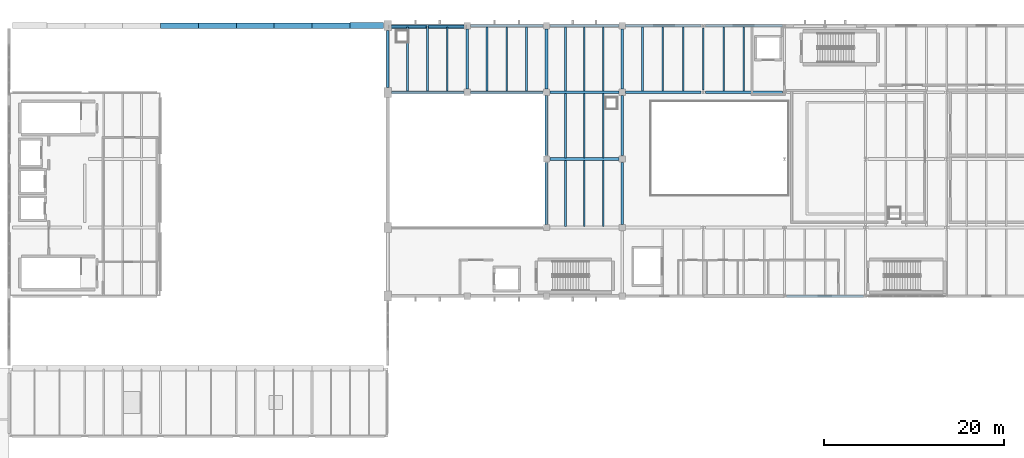
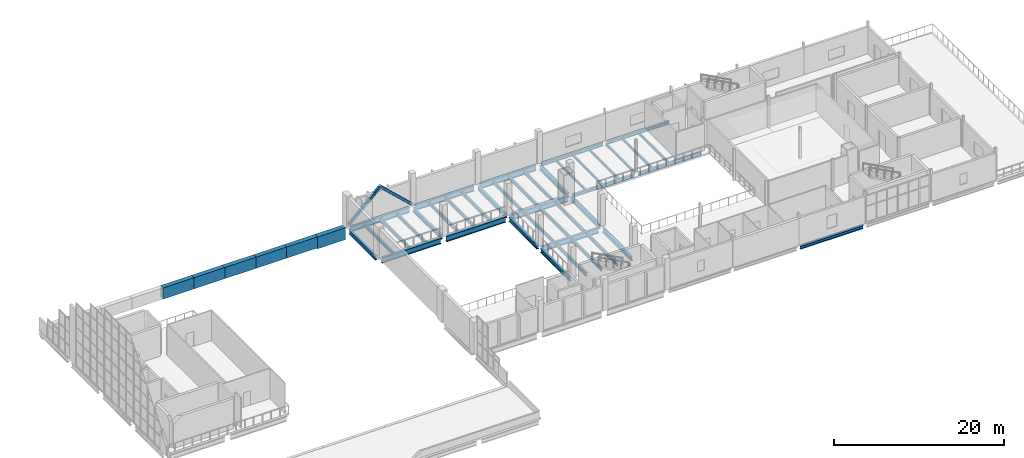
# One storey, part 18 of 37: 47 beams, 2 members.
"""IFC4 building model written with IfcOpenShell, lengths in metres."""

from ifc_helpers import new_model, si_unit, direction, frame, origin, origin_2d, place, context, subcontext, project, spatial, rectangle, hollow_rectangle, i_section, extrude, material, material_profile, profile_set, type_object, element, save


model = new_model("IFC4")

# Units and contexts
model_context = context("Model", 3, precision=1e-05, world=origin(), true_north=direction((0.0, 1.0)))
body_context = subcontext(model_context, "Body", "Model", "MODEL_VIEW")
ifc_project = project(units=[si_unit("LENGTHUNIT", "METRE"), si_unit("AREAUNIT", "SQUARE_METRE"), si_unit("VOLUMEUNIT", "CUBIC_METRE"), si_unit("PLANEANGLEUNIT", "RADIAN"), si_unit("MASSUNIT", "GRAM", prefix="KILO")], contexts=[model_context])

# Site, building, storey
site_placement = place(None, origin())
site = spatial("IfcSite", under=ifc_project, at=site_placement, CompositionType="ELEMENT")
building_placement = place(site_placement, origin())
building = spatial("IfcBuilding", under=site, at=building_placement, Name="Shengluoqiao Park Theatre", CompositionType="ELEMENT")
storey_placement = place(building_placement, frame((0.0, 0.0, 19.199951171875)))
storey = spatial("IfcBuildingStorey", under=building, at=storey_placement, Name="L04", CompositionType="ELEMENT", Elevation=19.199951171875)

# Beams
ifc_material_1 = material(Name="Concrete C50", Category="concrete")
ifc_material_profile_1 = material_profile(ifc_material_1, rectangle(XDim=0.60009765625, YDim=1.60009765625, at=origin_2d()), Name="RC EDGE 600x1600")
ifc_profile_set_1 = profile_set([ifc_material_profile_1], Name="Concrete C50")
beam_type_1 = type_object("IfcBeamType", Name="STR-BM-EB-6016", PredefinedType="BEAM", material=ifc_profile_set_1)
beam_1_placement = place(storey_placement, frame((61.199951171875, 114.0, -0.800048828125), z_axis=(1.0, 0.0, 0.0), x_axis=(0.0, 1.0, 0.0)))
element("IfcBeam", 1, at=beam_1_placement, inside=storey, type_object=beam_type_1, Name="Barrel-Shell Form I Edge Beam N-05", PredefinedType="BEAM", context=body_context, shape_type="SweptSolid", body=[
    extrude(rectangle(XDim=0.60009765625, YDim=1.60009765625, at=origin_2d()), origin(), (0.0, 0.0, 1.0), 4.199951171875),
])
beam_2_placement = place(storey_placement, frame((65.39990234375, 114.0, -0.800048828125), z_axis=(1.0, 0.0, 0.0), x_axis=(0.0, 1.0, 0.0)))
element("IfcBeam", 2, at=beam_2_placement, inside=storey, type_object=beam_type_1, Name="Barrel-Shell Form I Edge Beam N-06", PredefinedType="BEAM", context=body_context, shape_type="SweptSolid", body=[
    extrude(rectangle(XDim=0.60009765625, YDim=1.60009765625, at=origin_2d()), origin(), (0.0, 0.0, 1.0), 4.2001953125),
])
for number, where, z_axis, x_axis, name in (
    (3, (69.60009765625, 114.0, -0.800048828125), (1.0, 0.0, 0.0), (0.0, 1.0, 0.0), "Barrel-Shell Form I Edge Beam N-07"),
    (4, (73.800048828125, 114.0, -0.800048828125), (1.0, 0.0, 0.0), (0.0, 1.0, 0.0), "Barrel-Shell Form I Edge Beam N-08"),
    (5, (78.0, 114.0, -0.800048828125), (1.0, 0.0, 0.0), (0.0, 1.0, 0.0), "Barrel-Shell Form I Edge Beam N-09"),
):
    element("IfcBeam", number, at=place(storey_placement, frame(where, z_axis=z_axis, x_axis=x_axis)), inside=storey, type_object=beam_type_1, Name=name, PredefinedType="BEAM", context=body_context, shape_type="SweptSolid", body=[
        extrude(rectangle(XDim=0.60009765625, YDim=1.60009765625, at=origin_2d()), origin(), (0.0, 0.0, 1.0), 4.199951171875),
    ])
ifc_material_profile_2 = material_profile(ifc_material_1, rectangle(XDim=0.64990234375, YDim=1.699951171875, at=origin_2d()), Name="RC EDGE 650x1700")
ifc_profile_set_2 = profile_set([ifc_material_profile_2], Name="Concrete C50")
beam_type_2 = type_object("IfcBeamType", Name="STR-BM-EB-6517", PredefinedType="BEAM", material=ifc_profile_set_2)
beam_3_placement = place(storey_placement, frame((82.199951171875, 114.0, -0.849853515625), z_axis=(1.0, 0.0, 0.0), x_axis=(0.0, 1.0, 0.0)))
element("IfcBeam", 6, at=beam_3_placement, inside=storey, type_object=beam_type_2, Name="Barrel-Shell Form I Edge Beam N-10", PredefinedType="BEAM", context=body_context, shape_type="SweptSolid", body=[
    extrude(rectangle(XDim=0.64990234375, YDim=1.699951171875, at=origin_2d()), origin(), (0.0, 0.0, 1.0), 3.75),
])
ifc_material_2 = material(Name="Steel Q355", Category="steel")
ifc_material_profile_3 = material_profile(ifc_material_2, i_section(OverallWidth=0.199951171875, OverallDepth=0.2939453125, WebThickness=0.008056640625, FlangeThickness=0.011962890625, FilletRadius=0.01611328125, at=origin_2d()), Name="HM 294x200x8x12")
ifc_profile_set_3 = profile_set([ifc_material_profile_3], Name="Steel Q355")
beam_type_3 = type_object("IfcBeamType", Name="STR-BM-G-HM294", PredefinedType="BEAM", material=ifc_profile_set_3)
beam_4_placement = place(storey_placement, frame((121.39990234375, 106.843994140625, -0.386962890625), z_axis=(0.0, 1.0, 0.0), x_axis=(-1.0, 0.0, 0.0)))
element("IfcBeam", 7, at=beam_4_placement, inside=storey, type_object=beam_type_3, Name="L04 Transverse Girder 01562", PredefinedType="BEAM", context=body_context, shape_type="SweptSolid", body=[
    extrude(i_section(OverallWidth=0.199951171875, OverallDepth=0.2939453125, WebThickness=0.008056640625, FlangeThickness=0.011962890625, FilletRadius=0.01611328125, at=origin_2d()), origin(), (0.0, 0.0, 1.0), 6.912109375),
])
ifc_material_profile_4 = material_profile(ifc_material_2, i_section(OverallWidth=0.300048828125, OverallDepth=0.43994140625, WebThickness=0.010986328125, FlangeThickness=0.01806640625, FilletRadius=0.02001953125, at=origin_2d()), Name="HM 440x300x11x18")
ifc_profile_set_4 = profile_set([ifc_material_profile_4], Name="Steel Q355")
beam_type_4 = type_object("IfcBeamType", Name="STR-BM-G-HM440", PredefinedType="BEAM", material=ifc_profile_set_4)
beam_5_placement = place(storey_placement, frame((130.64404296875, 84.0, -0.4599609375), z_axis=(1.0, 0.0, 0.0), x_axis=(0.0, 1.0, 0.0)))
element("IfcBeam", 8, at=beam_5_placement, inside=storey, type_object=beam_type_4, Name="L04 Primary Girder 01551", PredefinedType="BEAM", context=body_context, shape_type="SweptSolid", body=[
    extrude(i_section(OverallWidth=0.300048828125, OverallDepth=0.43994140625, WebThickness=0.010986328125, FlangeThickness=0.01806640625, FilletRadius=0.02001953125, at=origin_2d()), origin(), (0.0, 0.0, 1.0), 8.511962890625),
])
beam_6_placement = place(storey_placement, frame((112.76904296875, 106.60009765625, -0.4599609375), z_axis=(1.0, 0.0, 0.0), x_axis=(0.0, 1.0, 0.0)))
element("IfcBeam", 9, at=beam_6_placement, inside=storey, type_object=beam_type_4, Name="L04 Primary Girder 01555", PredefinedType="BEAM", context=body_context, shape_type="SweptSolid", body=[
    extrude(i_section(OverallWidth=0.300048828125, OverallDepth=0.43994140625, WebThickness=0.010986328125, FlangeThickness=0.01806640625, FilletRadius=0.02001953125, at=origin_2d()), origin(), (0.0, 0.0, 1.0), 8.386962890625),
])
beam_7_placement = place(storey_placement, frame((121.64404296875, 106.60009765625, -0.4599609375), z_axis=(1.0, 0.0, 0.0), x_axis=(0.0, 1.0, 0.0)))
element("IfcBeam", 10, at=beam_7_placement, inside=storey, type_object=beam_type_4, Name="L04 Primary Girder 01556", PredefinedType="BEAM", context=body_context, shape_type="SweptSolid", body=[
    extrude(i_section(OverallWidth=0.300048828125, OverallDepth=0.43994140625, WebThickness=0.010986328125, FlangeThickness=0.01806640625, FilletRadius=0.02001953125, at=origin_2d()), origin(), (0.0, 0.0, 1.0), 8.511962890625),
])
beam_8_placement = place(storey_placement, frame((112.76904296875, 114.0, -0.4599609375), z_axis=(1.0, 0.0, 0.0), x_axis=(0.0, 1.0, 0.0)))
element("IfcBeam", 11, at=beam_8_placement, inside=storey, type_object=beam_type_4, Name="L04 Primary Girder 01558", PredefinedType="BEAM", context=body_context, shape_type="SweptSolid", body=[
    extrude(i_section(OverallWidth=0.300048828125, OverallDepth=0.43994140625, WebThickness=0.010986328125, FlangeThickness=0.01806640625, FilletRadius=0.02001953125, at=origin_2d()), origin(), (0.0, 0.0, 1.0), 8.386962890625),
])
beam_9_placement = place(storey_placement, frame((121.64404296875, 114.0, -0.4599609375), z_axis=(1.0, 0.0, 0.0), x_axis=(0.0, 1.0, 0.0)))
element("IfcBeam", 12, at=beam_9_placement, inside=storey, type_object=beam_type_4, Name="L04 Primary Girder 01559", PredefinedType="BEAM", context=body_context, shape_type="SweptSolid", body=[
    extrude(i_section(OverallWidth=0.300048828125, OverallDepth=0.43994140625, WebThickness=0.010986328125, FlangeThickness=0.01806640625, FilletRadius=0.02001953125, at=origin_2d()), origin(), (0.0, 0.0, 1.0), 8.511962890625),
])
ifc_material_profile_5 = material_profile(ifc_material_2, i_section(OverallWidth=0.300048828125, OverallDepth=0.58203125, WebThickness=0.011962890625, FlangeThickness=0.01708984375, FilletRadius=0.02392578125, at=origin_2d()), Name="HM 582x300x12x17")
ifc_profile_set_5 = profile_set([ifc_material_profile_5], Name="Steel Q355")
beam_type_5 = type_object("IfcBeamType", Name="STR-BM-G-HM582", PredefinedType="BEAM", material=ifc_profile_set_5)
beam_10_placement = place(storey_placement, frame((86.39990234375, 107.14404296875, -0.531005859375), z_axis=(0.0, 1.0, 0.0), x_axis=(-1.0, 0.0, 0.0)))
element("IfcBeam", 13, at=beam_10_placement, inside=storey, type_object=beam_type_5, Name="L04 Transverse Girder 01525", PredefinedType="BEAM", context=body_context, shape_type="SweptSolid", body=[
    extrude(i_section(OverallWidth=0.300048828125, OverallDepth=0.58203125, WebThickness=0.011962890625, FlangeThickness=0.01708984375, FilletRadius=0.02392578125, at=origin_2d()), origin(), (0.0, 0.0, 1.0), 6.31201171875),
])
for number, where, z_axis, x_axis, name in (
    (14, (95.199951171875, 106.968994140625, -0.531005859375), (0.0, 1.0, 0.0), (-1.0, 0.0, 0.0), "L04 Transverse Girder 01526"),
    (15, (104.0, 106.968994140625, -0.531005859375), (0.0, 1.0, 0.0), (-1.0, 0.0, 0.0), "L04 Transverse Girder 01527"),
    (16, (112.39990234375, 106.968994140625, -0.531005859375), (0.0, 1.0, 0.0), (-1.0, 0.0, 0.0), "L04 Transverse Girder 01528"),
):
    element("IfcBeam", number, at=place(storey_placement, frame(where, z_axis=z_axis, x_axis=x_axis)), inside=storey, type_object=beam_type_5, Name=name, PredefinedType="BEAM", context=body_context, shape_type="SweptSolid", body=[
        extrude(i_section(OverallWidth=0.300048828125, OverallDepth=0.58203125, WebThickness=0.011962890625, FlangeThickness=0.01708984375, FilletRadius=0.02392578125, at=origin_2d()), origin(), (0.0, 0.0, 1.0), 6.662109375),
    ])
beam_11_placement = place(storey_placement, frame((104.0, 91.968994140625, -0.531005859375), z_axis=(0.0, 1.0, 0.0), x_axis=(-1.0, 0.0, 0.0)))
element("IfcBeam", 17, at=beam_11_placement, inside=storey, type_object=beam_type_5, Name="L04 Transverse Girder 01539", PredefinedType="BEAM", context=body_context, shape_type="SweptSolid", body=[
    extrude(i_section(OverallWidth=0.300048828125, OverallDepth=0.58203125, WebThickness=0.011962890625, FlangeThickness=0.01708984375, FilletRadius=0.02392578125, at=origin_2d()), origin(), (0.0, 0.0, 1.0), 6.862060546875),
])
beam_12_placement = place(storey_placement, frame((104.0, 99.569091796875, -0.531005859375), z_axis=(0.0, 1.0, 0.0), x_axis=(-1.0, 0.0, 0.0)))
element("IfcBeam", 18, at=beam_12_placement, inside=storey, type_object=beam_type_5, Name="L04 Transverse Girder 01540", PredefinedType="BEAM", context=body_context, shape_type="SweptSolid", body=[
    extrude(i_section(OverallWidth=0.300048828125, OverallDepth=0.58203125, WebThickness=0.011962890625, FlangeThickness=0.01708984375, FilletRadius=0.02392578125, at=origin_2d()), origin(), (0.0, 0.0, 1.0), 6.661865234375),
])
beam_13_placement = place(storey_placement, frame((112.39990234375, 91.968994140625, -0.531005859375), z_axis=(0.0, 1.0, 0.0), x_axis=(-1.0, 0.0, 0.0)))
element("IfcBeam", 19, at=beam_13_placement, inside=storey, type_object=beam_type_5, Name="L04 Transverse Girder 01541", PredefinedType="BEAM", context=body_context, shape_type="SweptSolid", body=[
    extrude(i_section(OverallWidth=0.300048828125, OverallDepth=0.58203125, WebThickness=0.011962890625, FlangeThickness=0.01708984375, FilletRadius=0.02392578125, at=origin_2d()), origin(), (0.0, 0.0, 1.0), 6.862060546875),
])
beam_14_placement = place(storey_placement, frame((112.39990234375, 99.569091796875, -0.531005859375), z_axis=(0.0, 1.0, 0.0), x_axis=(-1.0, 0.0, 0.0)))
element("IfcBeam", 20, at=beam_14_placement, inside=storey, type_object=beam_type_5, Name="L04 Transverse Girder 01542", PredefinedType="BEAM", context=body_context, shape_type="SweptSolid", body=[
    extrude(i_section(OverallWidth=0.300048828125, OverallDepth=0.58203125, WebThickness=0.011962890625, FlangeThickness=0.01708984375, FilletRadius=0.02392578125, at=origin_2d()), origin(), (0.0, 0.0, 1.0), 6.661865234375),
])
ifc_material_3 = material(Name="Steel Q390", Category="steel")
ifc_material_profile_6 = material_profile(ifc_material_3, i_section(OverallWidth=0.300048828125, OverallDepth=0.800048828125, WebThickness=0.013916015625, FlangeThickness=0.02587890625, FilletRadius=0.02587890625, at=origin_2d()), Name="HN 800x300x14x26")
ifc_profile_set_6 = profile_set([ifc_material_profile_6], Name="Steel Q390")
beam_type_6 = type_object("IfcBeamType", Name="STR-BM-G-HN800", PredefinedType="BEAM", material=ifc_profile_set_6)
beam_15_placement = place(storey_placement, frame((86.7939453125, 106.60009765625, -0.639892578125), z_axis=(1.0, 0.0, 0.0), x_axis=(0.0, 1.0, 0.0)))
element("IfcBeam", 21, at=beam_15_placement, inside=storey, type_object=beam_type_6, Name="L04 Primary Girder 01519", PredefinedType="BEAM", context=body_context, shape_type="SweptSolid", body=[
    extrude(i_section(OverallWidth=0.300048828125, OverallDepth=0.800048828125, WebThickness=0.013916015625, FlangeThickness=0.02587890625, FilletRadius=0.02587890625, at=origin_2d()), origin(), (0.0, 0.0, 1.0), 8.037109375),
])
beam_16_placement = place(storey_placement, frame((95.569091796875, 106.60009765625, -0.639892578125), z_axis=(1.0, 0.0, 0.0), x_axis=(0.0, 1.0, 0.0)))
element("IfcBeam", 22, at=beam_16_placement, inside=storey, type_object=beam_type_6, Name="L04 Primary Girder 01520", PredefinedType="BEAM", context=body_context, shape_type="SweptSolid", body=[
    extrude(i_section(OverallWidth=0.300048828125, OverallDepth=0.800048828125, WebThickness=0.013916015625, FlangeThickness=0.02587890625, FilletRadius=0.02587890625, at=origin_2d()), origin(), (0.0, 0.0, 1.0), 8.06201171875),
])
beam_17_placement = place(storey_placement, frame((104.368896484375, 106.60009765625, -0.639892578125), z_axis=(1.0, 0.0, 0.0), x_axis=(0.0, 1.0, 0.0)))
element("IfcBeam", 23, at=beam_17_placement, inside=storey, type_object=beam_type_6, Name="L04 Primary Girder 01521", PredefinedType="BEAM", context=body_context, shape_type="SweptSolid", body=[
    extrude(i_section(OverallWidth=0.300048828125, OverallDepth=0.800048828125, WebThickness=0.013916015625, FlangeThickness=0.02587890625, FilletRadius=0.02587890625, at=origin_2d()), origin(), (0.0, 0.0, 1.0), 7.662109375),
])
beam_18_placement = place(storey_placement, frame((86.7939453125, 114.0, -0.639892578125), z_axis=(1.0, 0.0, 0.0), x_axis=(0.0, 1.0, 0.0)))
element("IfcBeam", 24, at=beam_18_placement, inside=storey, type_object=beam_type_6, Name="L04 Primary Girder 01522", PredefinedType="BEAM", context=body_context, shape_type="SweptSolid", body=[
    extrude(i_section(OverallWidth=0.300048828125, OverallDepth=0.800048828125, WebThickness=0.013916015625, FlangeThickness=0.02587890625, FilletRadius=0.02587890625, at=origin_2d()), origin(), (0.0, 0.0, 1.0), 8.037109375),
])
beam_19_placement = place(storey_placement, frame((95.569091796875, 114.0, -0.639892578125), z_axis=(1.0, 0.0, 0.0), x_axis=(0.0, 1.0, 0.0)))
element("IfcBeam", 25, at=beam_19_placement, inside=storey, type_object=beam_type_6, Name="L04 Primary Girder 01523", PredefinedType="BEAM", context=body_context, shape_type="SweptSolid", body=[
    extrude(i_section(OverallWidth=0.300048828125, OverallDepth=0.800048828125, WebThickness=0.013916015625, FlangeThickness=0.02587890625, FilletRadius=0.02587890625, at=origin_2d()), origin(), (0.0, 0.0, 1.0), 8.06201171875),
])
for number, where, z_axis, x_axis, name in (
    (26, (104.368896484375, 114.0, -0.639892578125), (1.0, 0.0, 0.0), (0.0, 1.0, 0.0), "L04 Primary Girder 01524"),
    (27, (104.368896484375, 99.199951171875, -0.639892578125), (1.0, 0.0, 0.0), (0.0, 1.0, 0.0), "L04 Primary Girder 01538"),
):
    element("IfcBeam", number, at=place(storey_placement, frame(where, z_axis=z_axis, x_axis=x_axis)), inside=storey, type_object=beam_type_6, Name=name, PredefinedType="BEAM", context=body_context, shape_type="SweptSolid", body=[
        extrude(i_section(OverallWidth=0.300048828125, OverallDepth=0.800048828125, WebThickness=0.013916015625, FlangeThickness=0.02587890625, FilletRadius=0.02587890625, at=origin_2d()), origin(), (0.0, 0.0, 1.0), 7.662109375),
    ])
ifc_material_profile_7 = material_profile(ifc_material_2, i_section(OverallWidth=0.175048828125, OverallDepth=0.35009765625, WebThickness=0.007080078125, FlangeThickness=0.010986328125, FilletRadius=0.013916015625, at=origin_2d()), Name="HN 350x175x7x11")
ifc_profile_set_7 = profile_set([ifc_material_profile_7], Name="Steel Q355")
beam_type_7 = type_object("IfcBeamType", Name="STR-BM-J-HN350", PredefinedType="JOIST", material=ifc_profile_set_7)
for number, where, z_axis, x_axis, name in (
    (28, (114.64990234375, 106.7451171875, -0.4150390625), (0.0, 1.0, 0.0), (-1.0, 0.0, 0.0), "L04 Composite Joist 01570"),
    (29, (116.89990234375, 106.7451171875, -0.4150390625), (0.0, 1.0, 0.0), (-1.0, 0.0, 0.0), "L04 Composite Joist 01571"),
    (30, (119.14990234375, 106.7451171875, -0.4150390625), (0.0, 1.0, 0.0), (-1.0, 0.0, 0.0), "L04 Composite Joist 01572"),
    (31, (123.64990234375, 106.7451171875, -0.4150390625), (0.0, 1.0, 0.0), (-1.0, 0.0, 0.0), "L04 Composite Joist 01576"),
    (32, (125.89990234375, 106.7451171875, -0.4150390625), (0.0, 1.0, 0.0), (-1.0, 0.0, 0.0), "L04 Composite Joist 01577"),
):
    element("IfcBeam", number, at=place(storey_placement, frame(where, z_axis=z_axis, x_axis=x_axis)), inside=storey, type_object=beam_type_7, Name=name, PredefinedType="JOIST", context=body_context, shape_type="SweptSolid", body=[
        extrude(i_section(OverallWidth=0.175048828125, OverallDepth=0.35009765625, WebThickness=0.007080078125, FlangeThickness=0.010986328125, FilletRadius=0.013916015625, at=origin_2d()), origin(), (0.0, 0.0, 1.0), 7.10986328125),
    ])
ifc_material_profile_8 = material_profile(ifc_material_2, i_section(OverallWidth=0.199951171875, OverallDepth=0.5, WebThickness=0.010009765625, FlangeThickness=0.01611328125, FilletRadius=0.01806640625, at=origin_2d()), Name="HN 500x200x10x16")
ifc_profile_set_8 = profile_set([ifc_material_profile_8], Name="Steel Q355")
beam_type_8 = type_object("IfcBeamType", Name="STR-BM-J-HN500", PredefinedType="JOIST", material=ifc_profile_set_8)
for number, where, z_axis, x_axis, name in (
    (33, (88.60009765625, 106.7451171875, -0.489990234375), (0.0, 1.0, 0.0), (-1.0, 0.0, 0.0), "L04 Composite Joist 01529"),
    (34, (90.800048828125, 106.7451171875, -0.489990234375), (0.0, 1.0, 0.0), (-1.0, 0.0, 0.0), "L04 Composite Joist 01530"),
    (35, (93.0, 106.7451171875, -0.489990234375), (0.0, 1.0, 0.0), (-1.0, 0.0, 0.0), "L04 Composite Joist 01531"),
    (36, (97.39990234375, 106.7451171875, -0.489990234375), (0.0, 1.0, 0.0), (-1.0, 0.0, 0.0), "L04 Composite Joist 01532"),
    (37, (99.60009765625, 106.7451171875, -0.489990234375), (0.0, 1.0, 0.0), (-1.0, 0.0, 0.0), "L04 Composite Joist 01533"),
    (38, (101.800048828125, 106.7451171875, -0.489990234375), (0.0, 1.0, 0.0), (-1.0, 0.0, 0.0), "L04 Composite Joist 01534"),
    (39, (106.10009765625, 106.7451171875, -0.489990234375), (0.0, 1.0, 0.0), (-1.0, 0.0, 0.0), "L04 Composite Joist 01535"),
    (40, (108.199951171875, 106.7451171875, -0.489990234375), (0.0, 1.0, 0.0), (-1.0, 0.0, 0.0), "L04 Composite Joist 01536"),
    (41, (110.300048828125, 106.7451171875, -0.489990234375), (0.0, 1.0, 0.0), (-1.0, 0.0, 0.0), "L04 Composite Joist 01537"),
):
    element("IfcBeam", number, at=place(storey_placement, frame(where, z_axis=z_axis, x_axis=x_axis)), inside=storey, type_object=beam_type_8, Name=name, PredefinedType="JOIST", context=body_context, shape_type="SweptSolid", body=[
        extrude(i_section(OverallWidth=0.199951171875, OverallDepth=0.5, WebThickness=0.010009765625, FlangeThickness=0.01611328125, FilletRadius=0.01806640625, at=origin_2d()), origin(), (0.0, 0.0, 1.0), 7.10986328125),
    ])
for number, where, z_axis, x_axis, name in (
    (42, (106.10009765625, 91.7451171875, -0.489990234375), (0.0, 1.0, 0.0), (-1.0, 0.0, 0.0), "L04 Composite Joist 01543"),
    (43, (108.199951171875, 91.7451171875, -0.489990234375), (0.0, 1.0, 0.0), (-1.0, 0.0, 0.0), "L04 Composite Joist 01544"),
    (44, (110.300048828125, 91.7451171875, -0.489990234375), (0.0, 1.0, 0.0), (-1.0, 0.0, 0.0), "L04 Composite Joist 01545"),
):
    element("IfcBeam", number, at=place(storey_placement, frame(where, z_axis=z_axis, x_axis=x_axis)), inside=storey, type_object=beam_type_8, Name=name, PredefinedType="JOIST", context=body_context, shape_type="SweptSolid", body=[
        extrude(i_section(OverallWidth=0.199951171875, OverallDepth=0.5, WebThickness=0.010009765625, FlangeThickness=0.01611328125, FilletRadius=0.01806640625, at=origin_2d()), origin(), (0.0, 0.0, 1.0), 7.309814453125),
    ])
for number, where, z_axis, x_axis, name in (
    (45, (106.10009765625, 99.344970703125, -0.489990234375), (0.0, 1.0, 0.0), (-1.0, 0.0, 0.0), "L04 Composite Joist 01546"),
    (46, (108.199951171875, 99.344970703125, -0.489990234375), (0.0, 1.0, 0.0), (-1.0, 0.0, 0.0), "L04 Composite Joist 01547"),
    (47, (110.300048828125, 99.344970703125, -0.489990234375), (0.0, 1.0, 0.0), (-1.0, 0.0, 0.0), "L04 Composite Joist 01548"),
):
    element("IfcBeam", number, at=place(storey_placement, frame(where, z_axis=z_axis, x_axis=x_axis)), inside=storey, type_object=beam_type_8, Name=name, PredefinedType="JOIST", context=body_context, shape_type="SweptSolid", body=[
        extrude(i_section(OverallWidth=0.199951171875, OverallDepth=0.5, WebThickness=0.010009765625, FlangeThickness=0.01611328125, FilletRadius=0.01806640625, at=origin_2d()), origin(), (0.0, 0.0, 1.0), 7.110107421875),
    ])

# Members
ifc_material_profile_9 = material_profile(ifc_material_3, hollow_rectangle(XDim=0.35009765625, YDim=0.35009765625, WallThickness=0.01611328125, InnerFilletRadius=0.01611328125, OuterFilletRadius=0.031982421875, at=origin_2d()), Name="RHS 350x350x16")
ifc_profile_set_9 = profile_set([ifc_material_profile_9], Name="Steel Q390")
member_type = type_object("IfcMemberType", Name="STR-MEM-BRR-350", PredefinedType="BRACE", material=ifc_profile_set_9)
for number, where, z_axis, x_axis, name in (
    (48, (86.488037109375, 113.8798828125, 0.10205078125), (0.729863533867, 0.0, 0.683592877326), (0.0, 1.0, 0.0), "L04 Chevron Brace 0009"),
    (49, (95.112060546875, 113.8798828125, 0.10205078125), (-0.729863533867, 0.0, 0.683592877326), (0.0, -1.0, 0.0), "L04 Chevron Brace 0010"),
):
    element("IfcMember", number, at=place(storey_placement, frame(where, z_axis=z_axis, x_axis=x_axis)), inside=storey, type_object=member_type, Name=name, PredefinedType="BRACE", context=body_context, shape_type="SweptSolid", body=[
        extrude(hollow_rectangle(XDim=0.35009765625, YDim=0.35009765625, WallThickness=0.01611328125, InnerFilletRadius=0.01611328125, OuterFilletRadius=0.031982421875, at=origin_2d()), origin(), (0.0, 0.0, 1.0), 5.8779296875),
    ])

save(model, "model.ifc")
